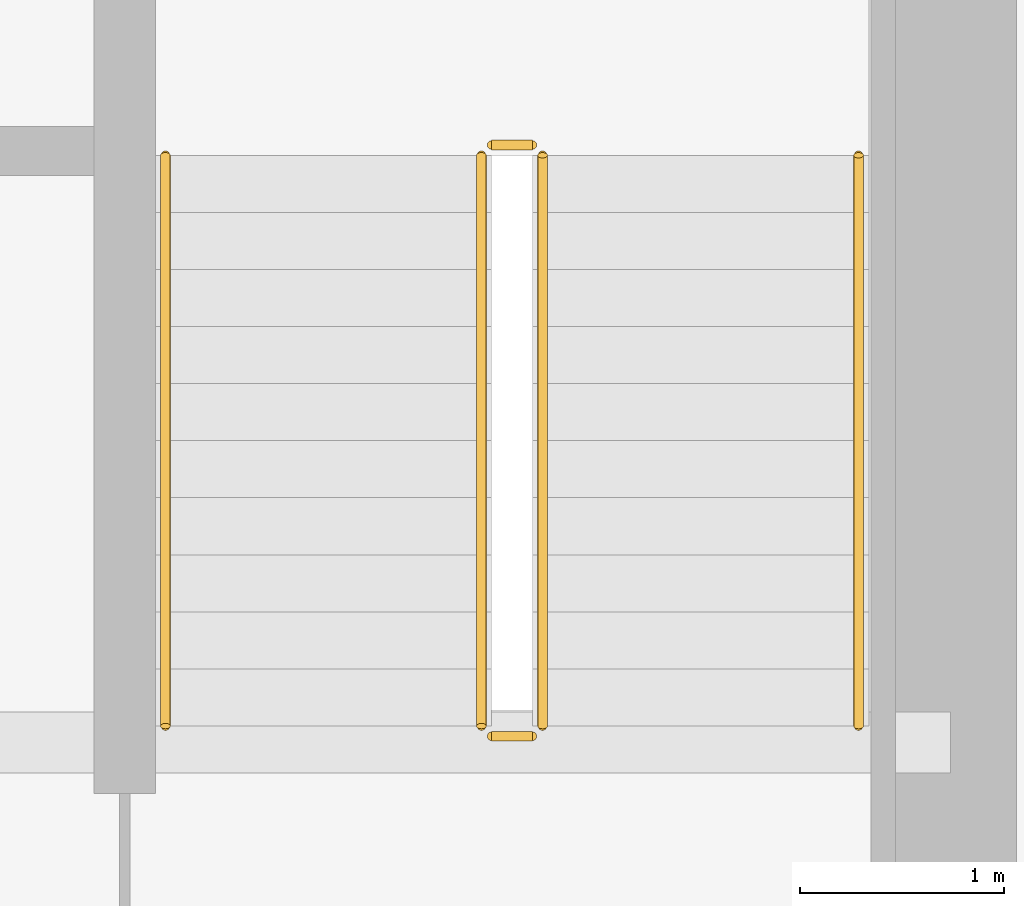
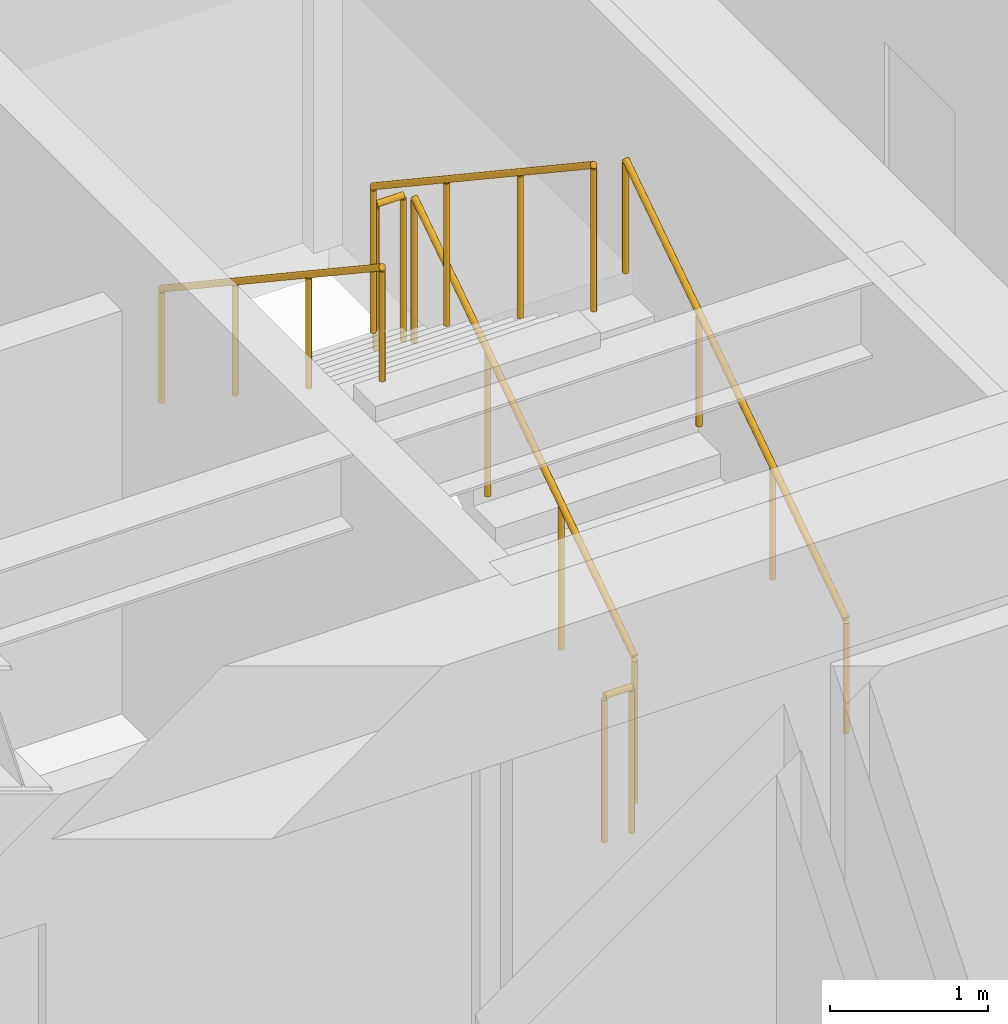
# One storey, part 30 of 30: 6 railings.
"""IFC4 building model written with IfcOpenShell, lengths in metres."""

from ifc_helpers import new_model, si_unit, direction, frame, origin, origin_2d, place, context, subcontext, project, spatial, circle, extrude, source, transform, mapped, material, type_object, type_shapes, element, save


model = new_model("IFC4")

# Units and contexts
model_context = context("Model", 3, precision=1e-05, world=origin(), true_north=direction((0.0, 1.0)))
body_context = subcontext(model_context, "Body", "Model", "MODEL_VIEW")
ifc_project = project(units=[si_unit("LENGTHUNIT", "METRE"), si_unit("AREAUNIT", "SQUARE_METRE"), si_unit("VOLUMEUNIT", "CUBIC_METRE"), si_unit("PLANEANGLEUNIT", "RADIAN"), si_unit("MASSUNIT", "GRAM", prefix="KILO")], contexts=[model_context])

# Site, building, storey
site_placement = place(None, origin())
site = spatial("IfcSite", under=ifc_project, at=site_placement, CompositionType="ELEMENT")
building_placement = place(site_placement, origin())
building = spatial("IfcBuilding", under=site, at=building_placement, Name="Haelvirn Gate Laboratories", CompositionType="ELEMENT")
storey_placement = place(building_placement, frame((0.0, 0.0, 142.0)))
storey = spatial("IfcBuildingStorey", under=building, at=storey_placement, Name="L34", CompositionType="ELEMENT", Elevation=142.0)

# Railings
ifc_material_1 = material(Name="Galvanised steel SM355 & stainless top rail", Category="steel")
railing_type_1 = type_object("IfcRailingType", Name="RL-GUARD-1150", PredefinedType="GUARDRAIL", material=ifc_material_1)
shared_shape_1 = source(origin(), body_context, "Body", "SweptSolid", [
    extrude(circle(Radius=0.02392578125, at=origin_2d()), frame((0.0, 0.0, 1.1259765625), z_axis=(0.0, -0.832452072856, 0.554097055034), x_axis=(1.0, 0.0, 0.0)), (0.0, 0.0, 1.0), 3.363525390625),
    extrude(circle(Radius=0.02099609375, at=origin_2d()), origin(), (0.0, 0.0, 1.0), 1.101806640625),
    extrude(circle(Radius=0.02099609375, at=origin_2d()), frame((0.0, -0.933349609375, 0.621337890625)), (0.0, 0.0, 1.0), 1.101806640625),
    extrude(circle(Radius=0.02099609375, at=origin_2d()), frame((0.0, -1.86669921875, 1.242431640625)), (0.0, 0.0, 1.0), 1.101806640625),
    extrude(circle(Radius=0.02099609375, at=origin_2d()), frame((0.0, -2.800048828125, 1.86376953125)), (0.0, 0.0, 1.0), 1.101806640625),
])
railing_1_placement = place(storey_placement, frame((65.10009765625, 29.5, 2.236328125)))
element("IfcRailing", 1, at=railing_1_placement, inside=storey, type_object=railing_type_1, Name="L34 ST2 stair guard 3", PredefinedType="GUARDRAIL", context=body_context, shape_type="MappedRepresentation", body=[
    mapped(shared_shape_1, transform((0.0, 0.0, 0.0), scale=1.0)),
])
ifc_material_2 = material(Name="Brushed stainless steel 316L", Category="steel")
railing_type_2 = type_object("IfcRailingType", Name="RL-HAND-920", PredefinedType="HANDRAIL", material=ifc_material_2)
shared_shape_2 = source(origin(), body_context, "Body", "SweptSolid", [
    extrude(circle(Radius=0.02392578125, at=origin_2d()), frame((0.0, 0.0, 0.8759765625), z_axis=(0.0, -0.832452072856, 0.554097055034), x_axis=(1.0, 0.0, 0.0)), (0.0, 0.0, 1.0), 3.363525390625),
    extrude(circle(Radius=0.02099609375, at=origin_2d()), origin(), (0.0, 0.0, 1.0), 0.851806640625),
    extrude(circle(Radius=0.02099609375, at=origin_2d()), frame((0.0, -0.933349609375, 0.621337890625)), (0.0, 0.0, 1.0), 0.851806640625),
    extrude(circle(Radius=0.02099609375, at=origin_2d()), frame((0.0, -1.86669921875, 1.242431640625)), (0.0, 0.0, 1.0), 0.851806640625),
    extrude(circle(Radius=0.02099609375, at=origin_2d()), frame((0.0, -2.800048828125, 1.86376953125)), (0.0, 0.0, 1.0), 0.851806640625),
])
railing_2_placement = place(storey_placement, frame((63.550048828125, 29.5, 2.236328125)))
element("IfcRailing", 2, at=railing_2_placement, inside=storey, type_object=railing_type_2, Name="L34 ST2 stair handrail 2", PredefinedType="HANDRAIL", context=body_context, shape_type="MappedRepresentation", body=[
    mapped(shared_shape_2, transform((0.0, 0.0, 0.0), scale=1.0)),
])
shared_shape_3 = source(origin(), body_context, "Body", "SweptSolid", [
    extrude(circle(Radius=0.02392578125, at=origin_2d()), frame((0.0, 0.0, 1.1259765625), z_axis=(0.0, 0.832452072856, 0.554097055034), x_axis=(-1.0, 0.0, 0.0)), (0.0, 0.0, 1.0), 3.363525390625),
    extrude(circle(Radius=0.02099609375, at=origin_2d()), origin(), (0.0, 0.0, 1.0), 1.101806640625),
    extrude(circle(Radius=0.02099609375, at=origin_2d()), frame((0.0, 0.933349609375, 0.621337890625)), (0.0, 0.0, 1.0), 1.101806640625),
    extrude(circle(Radius=0.02099609375, at=origin_2d()), frame((0.0, 1.86669921875, 1.242431640625)), (0.0, 0.0, 1.0), 1.101806640625),
    extrude(circle(Radius=0.02099609375, at=origin_2d()), frame((0.0, 2.800048828125, 1.86376953125)), (0.0, 0.0, 1.0), 1.101806640625),
])
railing_3_placement = place(storey_placement, frame((65.39990234375, 26.699951171875, 0.186279296875)))
element("IfcRailing", 3, at=railing_3_placement, inside=storey, type_object=railing_type_1, Name="L34 ST2 stair guard 1", PredefinedType="GUARDRAIL", context=body_context, shape_type="MappedRepresentation", body=[
    mapped(shared_shape_3, transform((0.0, 0.0, 0.0), scale=1.0)),
])
shared_shape_4 = source(origin(), body_context, "Body", "SweptSolid", [
    extrude(circle(Radius=0.02392578125, at=origin_2d()), frame((0.0, 0.0, 0.8759765625), z_axis=(0.0, 0.832452072856, 0.554097055034), x_axis=(-1.0, 0.0, 0.0)), (0.0, 0.0, 1.0), 3.363525390625),
    extrude(circle(Radius=0.02099609375, at=origin_2d()), origin(), (0.0, 0.0, 1.0), 0.851806640625),
    extrude(circle(Radius=0.02099609375, at=origin_2d()), frame((0.0, 0.933349609375, 0.621337890625)), (0.0, 0.0, 1.0), 0.851806640625),
    extrude(circle(Radius=0.02099609375, at=origin_2d()), frame((0.0, 1.86669921875, 1.242431640625)), (0.0, 0.0, 1.0), 0.851806640625),
    extrude(circle(Radius=0.02099609375, at=origin_2d()), frame((0.0, 2.800048828125, 1.86376953125)), (0.0, 0.0, 1.0), 0.851806640625),
])
type_shapes(railing_type_2, [shared_shape_2, shared_shape_4])
railing_4_placement = place(storey_placement, frame((66.949951171875, 26.699951171875, 0.186279296875)))
element("IfcRailing", 4, at=railing_4_placement, inside=storey, type_object=railing_type_2, Name="L34 ST2 stair handrail 1", PredefinedType="HANDRAIL", context=body_context, shape_type="MappedRepresentation", body=[
    mapped(shared_shape_4, transform((0.0, 0.0, 0.0), scale=1.0)),
])
shared_shape_5 = source(origin(), body_context, "Body", "SweptSolid", [
    extrude(circle(Radius=0.02392578125, at=origin_2d()), frame((0.0, 0.0, 1.1259765625), z_axis=(-1.0, 0.0, 0.0), x_axis=(0.0, -1.0, 0.0)), (0.0, 0.0, 1.0), 0.2001953125),
    extrude(circle(Radius=0.02099609375, at=origin_2d()), origin(), (0.0, 0.0, 1.0), 1.101806640625),
    extrude(circle(Radius=0.02099609375, at=origin_2d()), frame((-0.2001953125, 0.0, 0.0)), (0.0, 0.0, 1.0), 1.101806640625),
])
type_shapes(railing_type_1, [shared_shape_1, shared_shape_3, shared_shape_5])
for number, where, name in (
    (5, (65.35009765625, 29.550048828125, 2.050048828125), "L34 ST2 stair guard 2"),
    (6, (65.35009765625, 26.64990234375, 0.0), "L34 ST2 stair guard 4"),
):
    element("IfcRailing", number, at=place(storey_placement, frame(where)), inside=storey, type_object=railing_type_1, Name=name, PredefinedType="GUARDRAIL", context=body_context, shape_type="MappedRepresentation", body=[
        mapped(shared_shape_5, transform((0.0, 0.0, 0.0), scale=1.0)),
    ])

save(model, "model.ifc")
